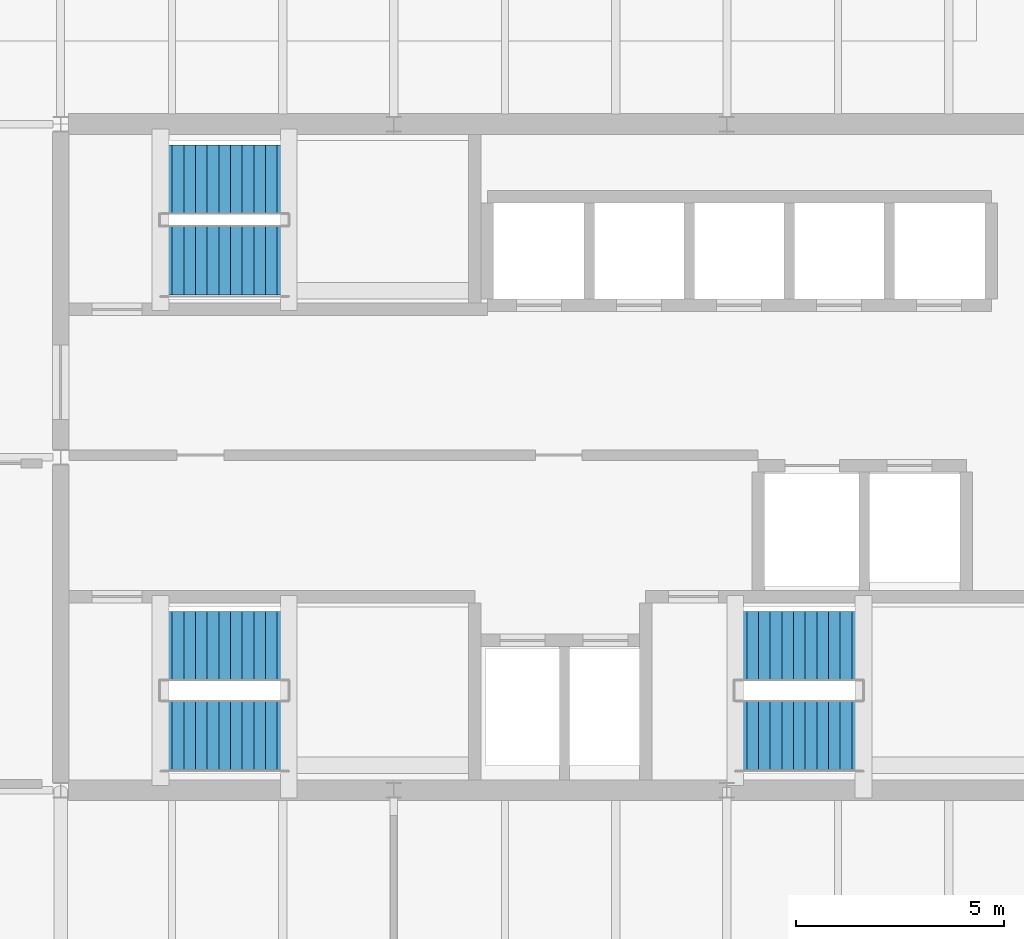
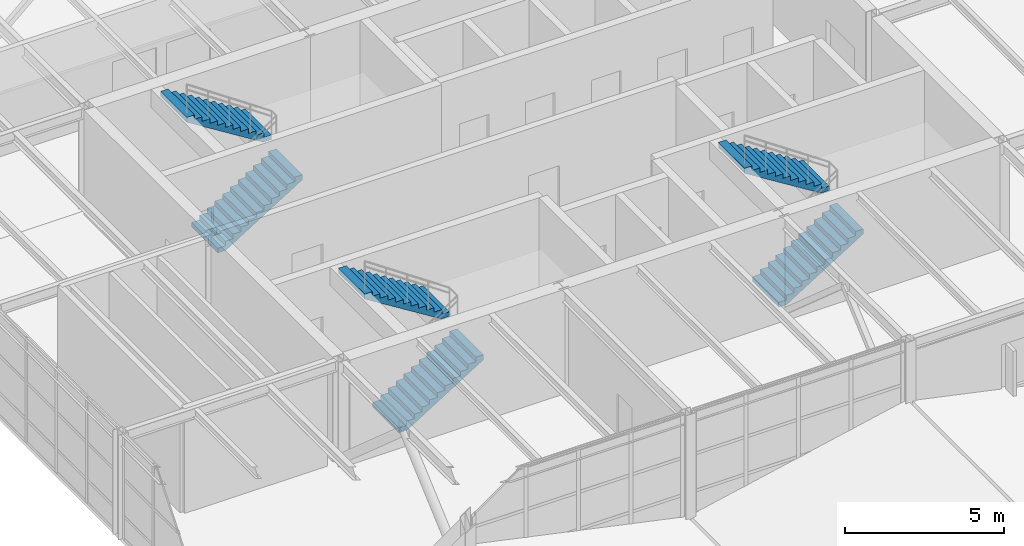
# One storey, part 31 of 34: 6 stair flights, 3 elements without a shape of their own.
"""IFC4 building model written with IfcOpenShell, lengths in metres."""

from ifc_helpers import new_model, si_unit, direction, frame, origin, place, context, subcontext, project, spatial, polyline, outline, extrude, material, type_object, element, aggregate, save


model = new_model("IFC4")

# Units and contexts
model_context = context("Model", 3, precision=1e-05, world=origin(), true_north=direction((0.0, 1.0)))
body_context = subcontext(model_context, "Body", "Model", "MODEL_VIEW")
ifc_project = project(units=[si_unit("LENGTHUNIT", "METRE"), si_unit("AREAUNIT", "SQUARE_METRE"), si_unit("VOLUMEUNIT", "CUBIC_METRE"), si_unit("PLANEANGLEUNIT", "RADIAN"), si_unit("MASSUNIT", "GRAM", prefix="KILO")], contexts=[model_context])

# Site, building, storey
site_placement = place(None, origin())
site = spatial("IfcSite", under=ifc_project, at=site_placement, CompositionType="ELEMENT")
building_placement = place(site_placement, origin())
building = spatial("IfcBuilding", under=site, at=building_placement, Name="Varnela Railside Interchange", CompositionType="ELEMENT")
storey_placement = place(building_placement, frame((0.0, 0.0, 19.60009765625)))
storey = spatial("IfcBuildingStorey", under=building, at=storey_placement, Name="L04", CompositionType="ELEMENT", Elevation=19.60009765625)

# Stair, stair flights
ifc_material = material(Name="Concrete C40", Category="concrete")
stair_type = type_object("IfcStairType", Name="Core Pressurized Stair ST-165", PredefinedType="TWO_STRAIGHT_RUN_STAIR", material=ifc_material)
stair_1_placement = place(storey_placement, origin())
stair_1 = element("IfcStair", 1, at=stair_1_placement, inside=storey, type_object=stair_type, Name="Stair ST-T1 (L04) (SF-193)", PredefinedType="TWO_STRAIGHT_RUN_STAIR")
stair_flight_type = type_object("IfcStairFlightType", Name="Concrete Stair Flight SF-165", PredefinedType="STRAIGHT", material=ifc_material)
stair_flight_1_placement = place(storey_placement, frame((14.39990234375, 55.324951171875, 0.0), z_axis=(0.0, 0.0, 1.0), x_axis=(1.0, 0.0, 0.0)))
stair_flight_1 = element("IfcStairFlight", 2, at=stair_flight_1_placement, type_object=stair_flight_type, Name="ST-T1 flight 1 (SF-194)", NumberOfRisers=12, NumberOfTreads=11, PredefinedType="STRAIGHT", RiserHeight=0.175, TreadLength=0.28, context=body_context, shape_type="SweptSolid", body=[
    extrude(outline(polyline([(0.0, 0.0), (0.0, 0.175048828125), (0.280029296875, 0.175048828125), (0.280029296875, 0.35009765625), (0.56005859375, 0.35009765625), (0.56005859375, 0.52490234375), (0.840087890625, 0.52490234375), (0.840087890625, 0.699951171875), (1.1201171875, 0.699951171875), (1.1201171875, 0.875), (1.39990234375, 0.875), (1.39990234375, 1.050048828125), (1.679931640625, 1.050048828125), (1.679931640625, 1.22509765625), (1.9599609375, 1.22509765625), (1.9599609375, 1.39990234375), (2.239990234375, 1.39990234375), (2.239990234375, 1.574951171875), (2.52001953125, 1.574951171875), (2.52001953125, 1.75), (2.800048828125, 1.75), (2.800048828125, 1.925048828125), (3.080078125, 1.925048828125), (3.080078125, 2.10009765625), (3.080078125, 1.736328125), (0.3017578125, 0.0), (0.0, 0.0)])), frame((0.0, 0.824951171875, 0.0), z_axis=(0.0, -1.0, 0.0), x_axis=(1.0, 0.0, 0.0)), (0.0, 0.0, 1.0), 1.64990234375),
])
stair_flight_2_placement = place(storey_placement, frame((17.47998046875, 57.47509765625, 2.099853515625), z_axis=(0.0, 0.0, 1.0), x_axis=(-1.0, 0.0, 0.0)))
stair_flight_2 = element("IfcStairFlight", 3, at=stair_flight_2_placement, type_object=stair_flight_type, Name="ST-T1 flight 2 (SF-195)", NumberOfRisers=12, NumberOfTreads=11, PredefinedType="STRAIGHT", RiserHeight=0.175, TreadLength=0.28, context=body_context, shape_type="SweptSolid", body=[
    extrude(outline(polyline([(0.0, 0.0), (0.0, 0.175048828125), (0.280029296875, 0.175048828125), (0.280029296875, 0.35009765625), (0.56005859375, 0.35009765625), (0.56005859375, 0.52490234375), (0.840087890625, 0.52490234375), (0.840087890625, 0.699951171875), (1.1201171875, 0.699951171875), (1.1201171875, 0.875), (1.39990234375, 0.875), (1.39990234375, 1.050048828125), (1.679931640625, 1.050048828125), (1.679931640625, 1.22509765625), (1.9599609375, 1.22509765625), (1.9599609375, 1.39990234375), (2.239990234375, 1.39990234375), (2.239990234375, 1.574951171875), (2.52001953125, 1.574951171875), (2.52001953125, 1.75), (2.800048828125, 1.75), (2.800048828125, 1.925048828125), (3.080078125, 1.925048828125), (3.080078125, 2.10009765625), (3.080078125, 1.736328125), (0.3017578125, 0.0), (0.0, 0.0)])), frame((0.0, 0.824951171875, 0.0), z_axis=(0.0, -1.0, 0.0), x_axis=(1.0, 0.0, 0.0)), (0.0, 0.0, 1.0), 1.64990234375),
])
aggregate(stair_1, [stair_flight_1, stair_flight_2])

stair_2_placement = place(storey_placement, origin())
stair_2 = element("IfcStair", 4, at=stair_2_placement, inside=storey, type_object=stair_type, Name="Stair ST-T2 (L04) (SF-196)", PredefinedType="TWO_STRAIGHT_RUN_STAIR")
stair_flight_3_placement = place(storey_placement, frame((28.199951171875, 55.324951171875, 0.0), z_axis=(0.0, 0.0, 1.0), x_axis=(1.0, 0.0, 0.0)))
stair_flight_3 = element("IfcStairFlight", 5, at=stair_flight_3_placement, type_object=stair_flight_type, Name="ST-T2 flight 1 (SF-197)", NumberOfRisers=12, NumberOfTreads=11, PredefinedType="STRAIGHT", RiserHeight=0.175, TreadLength=0.28, context=body_context, shape_type="SweptSolid", body=[
    extrude(outline(polyline([(0.0, 0.0), (0.0, 0.175048828125), (0.280029296875, 0.175048828125), (0.280029296875, 0.35009765625), (0.56005859375, 0.35009765625), (0.56005859375, 0.52490234375), (0.840087890625, 0.52490234375), (0.840087890625, 0.699951171875), (1.1201171875, 0.699951171875), (1.1201171875, 0.875), (1.39990234375, 0.875), (1.39990234375, 1.050048828125), (1.679931640625, 1.050048828125), (1.679931640625, 1.22509765625), (1.9599609375, 1.22509765625), (1.9599609375, 1.39990234375), (2.239990234375, 1.39990234375), (2.239990234375, 1.574951171875), (2.52001953125, 1.574951171875), (2.52001953125, 1.75), (2.800048828125, 1.75), (2.800048828125, 1.925048828125), (3.080078125, 1.925048828125), (3.080078125, 2.10009765625), (3.080078125, 1.736328125), (0.3017578125, 0.0), (0.0, 0.0)])), frame((0.0, 0.824951171875, 0.0), z_axis=(0.0, -1.0, 0.0), x_axis=(1.0, 0.0, 0.0)), (0.0, 0.0, 1.0), 1.64990234375),
])
stair_flight_4_placement = place(storey_placement, frame((31.280029296875, 57.47509765625, 2.099853515625), z_axis=(0.0, 0.0, 1.0), x_axis=(-1.0, 0.0, 0.0)))
stair_flight_4 = element("IfcStairFlight", 6, at=stair_flight_4_placement, type_object=stair_flight_type, Name="ST-T2 flight 2 (SF-198)", NumberOfRisers=12, NumberOfTreads=11, PredefinedType="STRAIGHT", RiserHeight=0.175, TreadLength=0.28, context=body_context, shape_type="SweptSolid", body=[
    extrude(outline(polyline([(0.0, 0.0), (0.0, 0.175048828125), (0.280029296875, 0.175048828125), (0.280029296875, 0.35009765625), (0.56005859375, 0.35009765625), (0.56005859375, 0.52490234375), (0.840087890625, 0.52490234375), (0.840087890625, 0.699951171875), (1.1201171875, 0.699951171875), (1.1201171875, 0.875), (1.39990234375, 0.875), (1.39990234375, 1.050048828125), (1.679931640625, 1.050048828125), (1.679931640625, 1.22509765625), (1.9599609375, 1.22509765625), (1.9599609375, 1.39990234375), (2.239990234375, 1.39990234375), (2.239990234375, 1.574951171875), (2.52001953125, 1.574951171875), (2.52001953125, 1.75), (2.800048828125, 1.75), (2.800048828125, 1.925048828125), (3.080078125, 1.925048828125), (3.080078125, 2.10009765625), (3.080078125, 1.736328125), (0.3017578125, 0.0), (0.0, 0.0)])), frame((0.0, 0.824951171875, 0.0), z_axis=(0.0, -1.0, 0.0), x_axis=(1.0, 0.0, 0.0)), (0.0, 0.0, 1.0), 1.64990234375),
])
aggregate(stair_2, [stair_flight_3, stair_flight_4])

stair_3_placement = place(storey_placement, origin())
stair_3 = element("IfcStair", 7, at=stair_3_placement, inside=storey, type_object=stair_type, Name="Stair ST-T3 (L04) (SF-199)", PredefinedType="TWO_STRAIGHT_RUN_STAIR")
stair_flight_5_placement = place(storey_placement, frame((14.39990234375, 66.72509765625, 0.0), z_axis=(0.0, 0.0, 1.0), x_axis=(1.0, 0.0, 0.0)))
stair_flight_5 = element("IfcStairFlight", 8, at=stair_flight_5_placement, type_object=stair_flight_type, Name="ST-T3 flight 1 (SF-200)", NumberOfRisers=12, NumberOfTreads=11, PredefinedType="STRAIGHT", RiserHeight=0.175, TreadLength=0.28, context=body_context, shape_type="SweptSolid", body=[
    extrude(outline(polyline([(0.0, 0.0), (0.0, 0.175048828125), (0.280029296875, 0.175048828125), (0.280029296875, 0.35009765625), (0.56005859375, 0.35009765625), (0.56005859375, 0.52490234375), (0.840087890625, 0.52490234375), (0.840087890625, 0.699951171875), (1.1201171875, 0.699951171875), (1.1201171875, 0.875), (1.39990234375, 0.875), (1.39990234375, 1.050048828125), (1.679931640625, 1.050048828125), (1.679931640625, 1.22509765625), (1.9599609375, 1.22509765625), (1.9599609375, 1.39990234375), (2.239990234375, 1.39990234375), (2.239990234375, 1.574951171875), (2.52001953125, 1.574951171875), (2.52001953125, 1.75), (2.800048828125, 1.75), (2.800048828125, 1.925048828125), (3.080078125, 1.925048828125), (3.080078125, 2.10009765625), (3.080078125, 1.736328125), (0.3017578125, 0.0), (0.0, 0.0)])), frame((0.0, 0.824951171875, 0.0), z_axis=(0.0, -1.0, 0.0), x_axis=(1.0, 0.0, 0.0)), (0.0, 0.0, 1.0), 1.64990234375),
])
stair_flight_6_placement = place(storey_placement, frame((17.47998046875, 68.675048828125, 2.099853515625), z_axis=(0.0, 0.0, 1.0), x_axis=(-1.0, 0.0, 0.0)))
stair_flight_6 = element("IfcStairFlight", 9, at=stair_flight_6_placement, type_object=stair_flight_type, Name="ST-T3 flight 2 (SF-201)", NumberOfRisers=12, NumberOfTreads=11, PredefinedType="STRAIGHT", RiserHeight=0.175, TreadLength=0.28, context=body_context, shape_type="SweptSolid", body=[
    extrude(outline(polyline([(0.0, 0.0), (0.0, 0.175048828125), (0.280029296875, 0.175048828125), (0.280029296875, 0.35009765625), (0.56005859375, 0.35009765625), (0.56005859375, 0.52490234375), (0.840087890625, 0.52490234375), (0.840087890625, 0.699951171875), (1.1201171875, 0.699951171875), (1.1201171875, 0.875), (1.39990234375, 0.875), (1.39990234375, 1.050048828125), (1.679931640625, 1.050048828125), (1.679931640625, 1.22509765625), (1.9599609375, 1.22509765625), (1.9599609375, 1.39990234375), (2.239990234375, 1.39990234375), (2.239990234375, 1.574951171875), (2.52001953125, 1.574951171875), (2.52001953125, 1.75), (2.800048828125, 1.75), (2.800048828125, 1.925048828125), (3.080078125, 1.925048828125), (3.080078125, 2.10009765625), (3.080078125, 1.736328125), (0.3017578125, 0.0), (0.0, 0.0)])), frame((0.0, 0.824951171875, 0.0), z_axis=(0.0, -1.0, 0.0), x_axis=(1.0, 0.0, 0.0)), (0.0, 0.0, 1.0), 1.64990234375),
])
aggregate(stair_3, [stair_flight_5, stair_flight_6])

save(model, "model.ifc")
